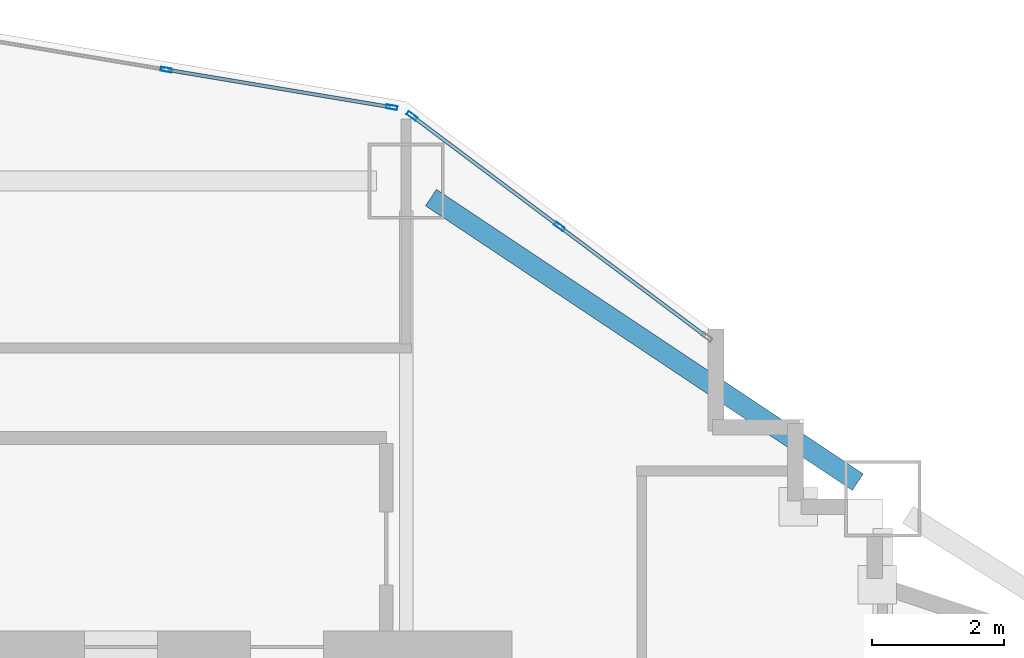
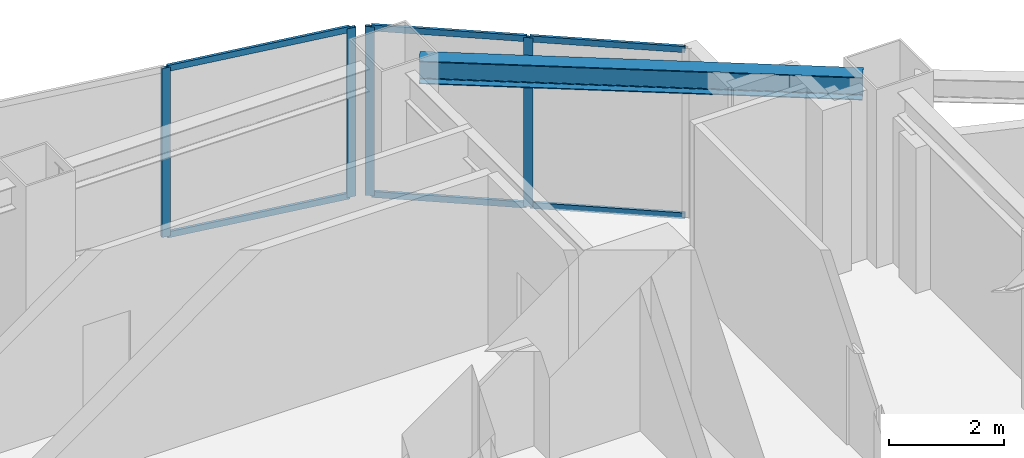
# One storey, part 3 of 17: 10 members, 1 beam, 2 elements without a shape of their own.
"""IFC4 building model written with IfcOpenShell, lengths in metres."""

from ifc_helpers import new_model, si_unit, direction, frame, origin, origin_2d, place, context, subcontext, project, spatial, hollow_rectangle, i_section, extrude, material, layer, layer_set, material_profile, profile_set, type_object, element, aggregate, save


model = new_model("IFC4")

# Units and contexts
model_context = context("Model", 3, precision=1e-05, world=origin(), true_north=direction((0.0, 1.0)))
body_context = subcontext(model_context, "Body", "Model", "MODEL_VIEW")
ifc_project = project(units=[si_unit("LENGTHUNIT", "METRE"), si_unit("AREAUNIT", "SQUARE_METRE"), si_unit("VOLUMEUNIT", "CUBIC_METRE"), si_unit("PLANEANGLEUNIT", "RADIAN"), si_unit("MASSUNIT", "GRAM", prefix="KILO")], contexts=[model_context])

# Site, building, storey
site_placement = place(None, origin())
site = spatial("IfcSite", under=ifc_project, at=site_placement, CompositionType="ELEMENT")
building_placement = place(site_placement, origin())
building = spatial("IfcBuilding", under=site, at=building_placement, Name="Haolan Belvedere Tower", CompositionType="ELEMENT")
storey_placement = place(building_placement, frame((0.0, 0.0, 59.0)))
storey = spatial("IfcBuildingStorey", under=building, at=storey_placement, Name="L14", CompositionType="ELEMENT", Elevation=59.0)

# Beam
ifc_material_1 = material(Name="Steel Q355B", Category="steel")
ifc_material_profile_1 = material_profile(ifc_material_1, i_section(OverallWidth=0.300048828125, OverallDepth=0.488037109375, WebThickness=0.010986328125, FlangeThickness=0.01806640625, FilletRadius=0.02587890625, at=origin_2d()), Name="Steel Q355B")
ifc_profile_set_1 = profile_set([ifc_material_profile_1], Name="Steel Q355B")
beam_type = type_object("IfcBeamType", Name="BM-HM488x300x11x18", PredefinedType="SPANDREL", material=ifc_profile_set_1)
beam_placement = place(storey_placement, frame((45.974365234375, 50.150390625, 3.35595703125), z_axis=(0.832050294338, -0.554700196225, 0.0), x_axis=(0.554700196225, 0.832050294338, 0.0)))
element("IfcBeam", 1, at=beam_placement, inside=storey, type_object=beam_type, Name="L14 spandrel girder MC-T3-N2-MC-T3-NE", PredefinedType="SPANDREL", context=body_context, shape_type="SweptSolid", body=[
    extrude(i_section(OverallWidth=0.300048828125, OverallDepth=0.488037109375, WebThickness=0.010986328125, FlangeThickness=0.01806640625, FilletRadius=0.02587890625, at=origin_2d()), origin(), (0.0, 0.0, 1.0), 7.75341796875),
])

# Curtain wall, members
ifc_material_2 = material(Name="Anodised champagne-silver aluminium 6063-T6 and Low-E glass", Category="aluminium")
ifc_layer = layer(ifc_material_2, 0.1650390625, Name="Anodised champagne-silver aluminium 6063-T6 and Low-E glass")
ifc_layer_set = layer_set([ifc_layer], Name="Anodised champagne-silver aluminium 6063-T6 and Low-E glass")
curtain_wall_type = type_object("IfcCurtainWallType", Name="CW-SYS-02", PredefinedType="NOTDEFINED", material=ifc_layer_set)
curtain_wall_1_placement = place(storey_placement, origin())
curtain_wall_1 = element("IfcCurtainWall", 2, at=curtain_wall_1_placement, inside=storey, type_object=curtain_wall_type, Name="L14 CW-SYS-02 ribbon curtain wall 41.1", PredefinedType="NOTDEFINED")
ifc_material_3 = material(Name="Anodised aluminium 6063-T6", Category="aluminium")
ifc_material_profile_2 = material_profile(ifc_material_3, hollow_rectangle(XDim=0.06005859375, YDim=0.1650390625, WallThickness=0.00390625, at=origin_2d()), Name="Anodised aluminium 6063-T6")
ifc_profile_set_2 = profile_set([ifc_material_profile_2], Name="Anodised aluminium 6063-T6")
member_type_1 = type_object("IfcMemberType", Name="CW-SYS-02-MUL", PredefinedType="MULLION", material=ifc_profile_set_2)
member_1_placement = place(storey_placement, frame((47.915771484375, 49.713134765625, 0.0), z_axis=(0.0, 0.0, 1.0), x_axis=(-0.599994316874, -0.800004262313, 0.0)))
member_1 = element("IfcMember", 3, at=member_1_placement, type_object=member_type_1, Name="CW-02 mullion 2", PredefinedType="MULLION", context=body_context, shape_type="SweptSolid", body=[
    extrude(hollow_rectangle(XDim=0.06005859375, YDim=0.1650390625, WallThickness=0.00390625, at=origin_2d()), origin(), (0.0, 0.0, 1.0), 3.60009765625),
])
member_2_placement = place(storey_placement, frame((45.6875, 51.384521484375, 0.0), z_axis=(0.0, 0.0, 1.0), x_axis=(-0.599994316874, -0.800004262313, 0.0)))
member_2 = element("IfcMember", 4, at=member_2_placement, type_object=member_type_1, Name="CW-02 mullion 3", PredefinedType="MULLION", context=body_context, shape_type="SweptSolid", body=[
    extrude(hollow_rectangle(XDim=0.06005859375, YDim=0.1650390625, WallThickness=0.00390625, at=origin_2d()), origin(), (0.0, 0.0, 1.0), 3.60009765625),
])

curtain_wall_2_placement = place(storey_placement, origin())
curtain_wall_2 = element("IfcCurtainWall", 5, at=curtain_wall_2_placement, inside=storey, type_object=curtain_wall_type, Name="L14 CW-SYS-02 ribbon curtain wall 42.1", PredefinedType="NOTDEFINED")
member_3_placement = place(storey_placement, frame((45.3837890625, 51.514404296875, 0.0), z_axis=(0.0, 0.0, 1.0), x_axis=(-0.16440364043, -0.9863931483, 0.0)))
member_3 = element("IfcMember", 6, at=member_3_placement, type_object=member_type_1, Name="CW-02 mullion 1", PredefinedType="MULLION", context=body_context, shape_type="SweptSolid", body=[
    extrude(hollow_rectangle(XDim=0.06005859375, YDim=0.1650390625, WallThickness=0.00390625, at=origin_2d()), origin(), (0.0, 0.0, 1.0), 3.60009765625),
])
member_4_placement = place(storey_placement, frame((41.9755859375, 52.082275390625, 0.0), z_axis=(0.0, 0.0, 1.0), x_axis=(-0.16440364043, -0.9863931483, 0.0)))
member_4 = element("IfcMember", 7, at=member_4_placement, type_object=member_type_1, Name="CW-02 mullion 2", PredefinedType="MULLION", context=body_context, shape_type="SweptSolid", body=[
    extrude(hollow_rectangle(XDim=0.06005859375, YDim=0.1650390625, WallThickness=0.00390625, at=origin_2d()), origin(), (0.0, 0.0, 1.0), 3.60009765625),
])

# Member
ifc_material_profile_3 = material_profile(ifc_material_3, hollow_rectangle(XDim=0.054931640625, YDim=0.1298828125, WallThickness=0.00390625, at=origin_2d()), Name="Anodised aluminium 6063-T6")
ifc_profile_set_3 = profile_set([ifc_material_profile_3], Name="Anodised aluminium 6063-T6")
member_type_2 = type_object("IfcMemberType", Name="CW-SYS-02-TRN", PredefinedType="USERDEFINED", material=ifc_profile_set_3)
member_5_placement = place(storey_placement, frame((50.1201171875, 48.06005859375, 0.027587890625), z_axis=(-0.800010749092, 0.599985667609, 0.0), x_axis=(-0.599985667609, -0.800010749092, 0.0)))
member_5 = element("IfcMember", 8, at=member_5_placement, type_object=member_type_2, Name="CW-02 transom 1.1", ObjectType="TRANSOM", PredefinedType="USERDEFINED", context=body_context, shape_type="SweptSolid", body=[
    extrude(hollow_rectangle(XDim=0.054931640625, YDim=0.1298828125, WallThickness=0.00390625, at=origin_2d()), origin(), (0.0, 0.0, 1.0), 2.7255859375),
])

member_6_placement = place(storey_placement, frame((50.1201171875, 48.06005859375, 3.572509765625), z_axis=(-0.800010749092, 0.599985667609, 0.0), x_axis=(-0.599985667609, -0.800010749092, 0.0)))
member_6 = element("IfcMember", 9, at=member_6_placement, type_object=member_type_2, Name="CW-02 transom 1.2", ObjectType="TRANSOM", PredefinedType="USERDEFINED", context=body_context, shape_type="SweptSolid", body=[
    extrude(hollow_rectangle(XDim=0.054931640625, YDim=0.1298828125, WallThickness=0.00390625, at=origin_2d()), origin(), (0.0, 0.0, 1.0), 2.7255859375),
])

member_7_placement = place(storey_placement, frame((47.8916015625, 49.731201171875, 0.027587890625), z_axis=(-0.799978499504, 0.600028666258, 0.0), x_axis=(-0.600028666258, -0.799978499504, 0.0)))
member_7 = element("IfcMember", 10, at=member_7_placement, type_object=member_type_2, Name="CW-02 transom 2.1", ObjectType="TRANSOM", PredefinedType="USERDEFINED", context=body_context, shape_type="SweptSolid", body=[
    extrude(hollow_rectangle(XDim=0.054931640625, YDim=0.1298828125, WallThickness=0.00390625, at=origin_2d()), origin(), (0.0, 0.0, 1.0), 2.725341796875),
])

member_8_placement = place(storey_placement, frame((47.8916015625, 49.731201171875, 3.572509765625), z_axis=(-0.799978499504, 0.600028666258, 0.0), x_axis=(-0.600028666258, -0.799978499504, 0.0)))
member_8 = element("IfcMember", 11, at=member_8_placement, type_object=member_type_2, Name="CW-02 transom 2.2", ObjectType="TRANSOM", PredefinedType="USERDEFINED", context=body_context, shape_type="SweptSolid", body=[
    extrude(hollow_rectangle(XDim=0.054931640625, YDim=0.1298828125, WallThickness=0.00390625, at=origin_2d()), origin(), (0.0, 0.0, 1.0), 2.725341796875),
])

aggregate(curtain_wall_1, [member_1, member_2, member_5, member_6, member_7, member_8])

member_9_placement = place(storey_placement, frame((45.35400390625, 51.519287109375, 0.027587890625), z_axis=(-0.986393923832, 0.164398987305, 0.0), x_axis=(-0.164398987305, -0.986393923832, 0.0)))
member_9 = element("IfcMember", 12, at=member_9_placement, type_object=member_type_2, Name="CW-02 transom 1.1", ObjectType="TRANSOM", PredefinedType="USERDEFINED", context=body_context, shape_type="SweptSolid", body=[
    extrude(hollow_rectangle(XDim=0.054931640625, YDim=0.1298828125, WallThickness=0.00390625, at=origin_2d()), origin(), (0.0, 0.0, 1.0), 3.394775390625),
])

member_10_placement = place(storey_placement, frame((45.35400390625, 51.519287109375, 3.572509765625), z_axis=(-0.986393923832, 0.164398987305, 0.0), x_axis=(-0.164398987305, -0.986393923832, 0.0)))
member_10 = element("IfcMember", 13, at=member_10_placement, type_object=member_type_2, Name="CW-02 transom 1.2", ObjectType="TRANSOM", PredefinedType="USERDEFINED", context=body_context, shape_type="SweptSolid", body=[
    extrude(hollow_rectangle(XDim=0.054931640625, YDim=0.1298828125, WallThickness=0.00390625, at=origin_2d()), origin(), (0.0, 0.0, 1.0), 3.394775390625),
])

aggregate(curtain_wall_2, [member_3, member_4, member_9, member_10])

save(model, "model.ifc")
